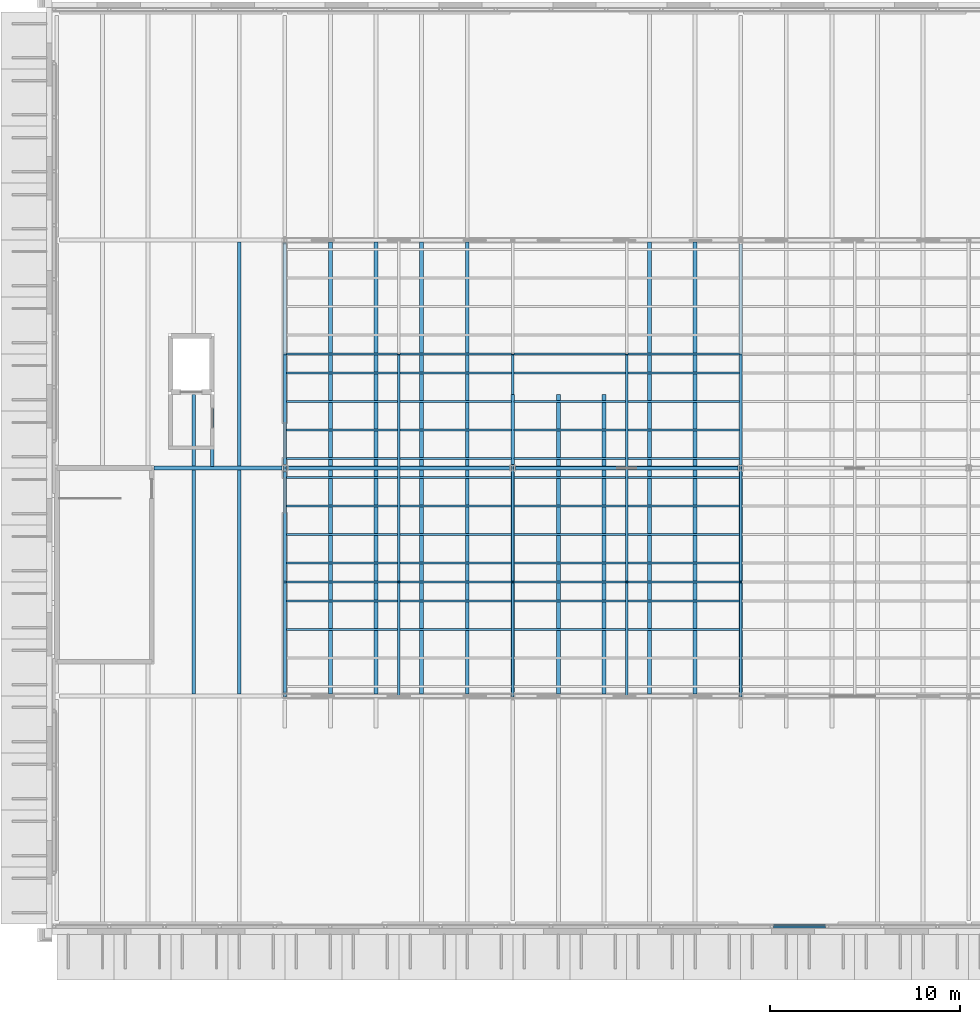
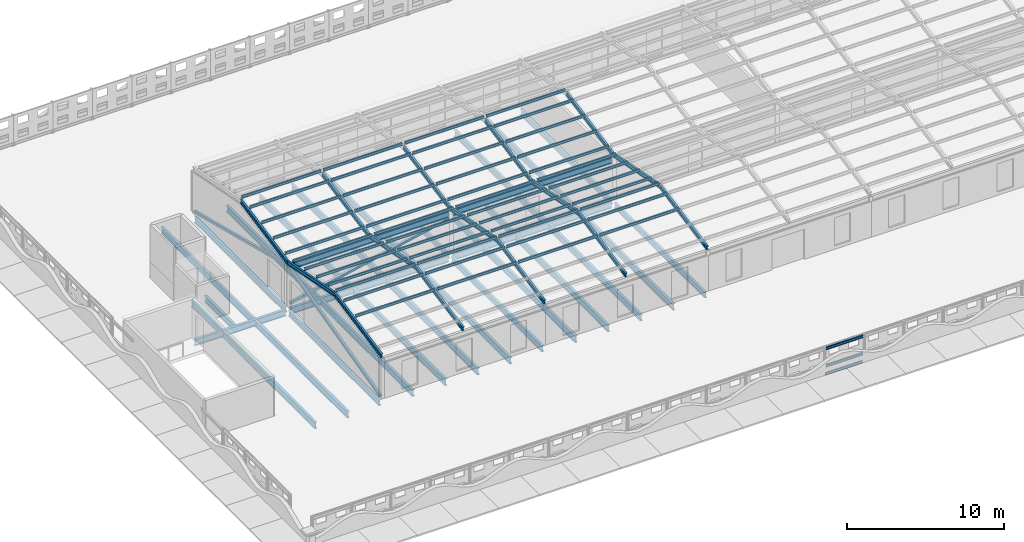
# One storey, part 26 of 91: 54 members, 47 beams.
"""IFC4 building model written with IfcOpenShell, lengths in metres."""

import ifcopenshell
import ifcopenshell.guid

model = None  # the IFC model being written
_history = None  # IfcOwnerHistory: only IFC2X3 demands one
_inside = {}  # id of a spatial element -> (the spatial element, [elements in it])
_under = {}  # id of a project, library or spatial element -> (it, [spatial elements below it])
_declared = {}  # id of a project -> (the project, [libraries it declares])
_typed = {}  # id of a type object -> (the type object, [elements of that type])
_made_of = {}  # id of a material, layer set ... -> (it, [elements and type objects made of it])


def new_model(schema):
    """Start an empty IFC model of exactly this schema.

    Asked for "IFC4X3", IfcOpenShell would pick the latest addendum, in which some entities
    have other attributes; the version numbers below select the first issue.
    IFC2X3 requires an IfcOwnerHistory on every rooted entity: one is made here for all.
    """
    global model, _history
    if schema == "IFC4X3":
        model = ifcopenshell.file(schema_version=(4, 3, 0, 0))
    else:
        model = ifcopenshell.file(schema=schema)
    _inside.clear()
    _under.clear()
    _declared.clear()
    _typed.clear()
    _made_of.clear()
    _history = None
    if model.schema == "IFC2X3":
        org = make("IfcOrganization", Name="unknown")
        user = make(
            "IfcPersonAndOrganization",
            ThePerson=make("IfcPerson", FamilyName="unknown"),
            TheOrganization=org,
        )
        app = make(
            "IfcApplication",
            ApplicationDeveloper=org,
            Version="unknown",
            ApplicationFullName="unknown",
            ApplicationIdentifier="unknown",
        )
        _history = make(
            "IfcOwnerHistory",
            OwningUser=user,
            OwningApplication=app,
            ChangeAction="ADDED",
            CreationDate=0,
        )
    return model


def make(cls, **values):
    """One entity of the class cls with the attributes given. An attribute that is None is left unset."""
    return model.create_entity(
        cls, **{name: value for name, value in values.items() if value is not None}
    )


def rooted(cls, **values):
    """An entity with a GlobalId (a new one), such as an element, a storey or a relation."""
    return make(cls, GlobalId=ifcopenshell.guid.new(), OwnerHistory=_history, **values)


def si_unit(unit_type, name, prefix=None):
    """IfcSIUnit, for example si_unit("LENGTHUNIT", "METRE", prefix="MILLI")."""
    return make("IfcSIUnit", UnitType=unit_type, Prefix=prefix, Name=name)


def assignment(units):
    """IfcUnitAssignment: the units of a project."""
    return None if units is None else make("IfcUnitAssignment", Units=units)


def point(xyz):
    """IfcCartesianPoint."""
    return None if xyz is None else make("IfcCartesianPoint", Coordinates=xyz)


def direction(xyz):
    """IfcDirection."""
    return None if xyz is None else make("IfcDirection", DirectionRatios=xyz)


def frame(location, z_axis=None, x_axis=None):
    """IfcAxis2Placement3D, a coordinate frame: its origin and axes. An axis left out is left unset."""
    return make(
        "IfcAxis2Placement3D",
        Location=point(location),
        Axis=direction(z_axis),
        RefDirection=direction(x_axis),
    )


def frame_2d(location, x_axis=None):
    """IfcAxis2Placement2D, a coordinate frame in the plane: its origin and x axis."""
    return make(
        "IfcAxis2Placement2D", Location=point(location), RefDirection=direction(x_axis)
    )


def origin():
    """The frame at (0, 0, 0) with its axes left unset."""
    return frame((0.0, 0.0, 0.0))


def origin_2d():
    """The frame at (0, 0) in the plane with its x axis left unset."""
    return frame_2d((0.0, 0.0))


def place(relative_to, where):
    """IfcLocalPlacement: puts the frame where relative to a parent placement (None: the world)."""
    return make(
        "IfcLocalPlacement", PlacementRelTo=relative_to, RelativePlacement=where
    )


def context(
    kind, dimensions, precision=None, world=None, true_north=None, identifier=None
):
    """IfcGeometricRepresentationContext, for example the 3D "Model" context."""
    return make(
        "IfcGeometricRepresentationContext",
        ContextIdentifier=identifier,
        ContextType=kind,
        CoordinateSpaceDimension=dimensions,
        Precision=precision,
        WorldCoordinateSystem=world,
        TrueNorth=true_north,
    )


def subcontext(parent, identifier, kind, view, scale=None):
    """IfcGeometricRepresentationSubContext, for example "Body" below "Model"."""
    return make(
        "IfcGeometricRepresentationSubContext",
        ContextIdentifier=identifier,
        ContextType=kind,
        ParentContext=parent,
        TargetScale=scale,
        TargetView=view,
    )


def project(units=None, contexts=None):
    """IfcProject with its units and contexts."""
    return rooted(
        "IfcProject",
        Name="project",
        RepresentationContexts=contexts,
        UnitsInContext=assignment(units),
    )


def spatial(cls, under=None, at=None, **own):
    """A site, building, storey or space (cls), placed at a placement, below another one or the project."""
    s = rooted(cls, ObjectPlacement=at, **own)
    if under is not None:
        _under.setdefault(under.id(), (under, []))[1].append(s)
    return s


def profile(cls, at=None, kind="AREA", **sizes):
    """A parametric profile (cls). Its sizes go by their IFC names, for example OverallWidth=200.0."""
    return make(cls, ProfileType=kind, Position=at, **sizes)


def hollow_rectangle(**sizes):
    """IfcRectangleHollowProfileDef."""
    return profile("IfcRectangleHollowProfileDef", **sizes)


def i_section(**sizes):
    """IfcIShapeProfileDef."""
    return profile("IfcIShapeProfileDef", **sizes)


def extrude(swept, where, along, depth):
    """IfcExtrudedAreaSolid: the profile swept, set in the frame where, extruded along a direction by depth."""
    return make(
        "IfcExtrudedAreaSolid",
        SweptArea=swept,
        Position=where,
        ExtrudedDirection=direction(along),
        Depth=depth,
    )


def shape(context_of_items, identifier, shape_type, items):
    """IfcShapeRepresentation: the items that make up one representation, for example the "Body"."""
    return make(
        "IfcShapeRepresentation",
        ContextOfItems=context_of_items,
        RepresentationIdentifier=identifier,
        RepresentationType=shape_type,
        Items=items,
    )


def material(Name=None, Category=None):
    """IfcMaterial."""
    return make("IfcMaterial", Name=Name, Category=Category)


def material_profile(
    of_material, cross_section, Name=None, Category=None, Priority=None
):
    """IfcMaterialProfile: a cross section and its material."""
    return make(
        "IfcMaterialProfile",
        Name=Name,
        Material=of_material,
        Profile=cross_section,
        Priority=Priority,
        Category=Category,
    )


def profile_set(profiles, Name=None, composite=None):
    """IfcMaterialProfileSet."""
    return make(
        "IfcMaterialProfileSet",
        Name=Name,
        MaterialProfiles=profiles,
        CompositeProfile=composite,
    )


def made_of(thing, what):
    """Note that an element or type object is made of a material, layer set ...; save() writes the relation."""
    if what is not None:
        _made_of.setdefault(what.id(), (what, []))[1].append(thing)
    return thing


def type_object(cls, material=None, **own):
    """A type object (cls), such as IfcWallType, which elements share."""
    return made_of(rooted(cls, **own), material)


def element(
    cls,
    number,
    at=None,
    inside=None,
    cuts=None,
    type_object=None,
    material=None,
    context=None,
    identifier="Body",
    shape_type=None,
    held_by="IfcProductDefinitionShape",
    body=None,
    shapes=None,
    **own,
):
    """One element of the class cls, such as IfcWall. Its Tag is "e" and its number.

    at: its placement. inside: the storey or other place that contains it. cuts: it is an
    opening in that element (IfcRelVoidsElement). A single representation is given by context,
    identifier, shape_type and body (its items); several are given by shapes. held_by: the class
    of the entity that holds the representations. save() writes the other relations.
    """
    e = rooted(cls, Tag="e%d" % number, ObjectPlacement=at, **own)
    if body is not None:
        shapes = [shape(context, identifier, shape_type, body)]
    if shapes is not None:
        e.Representation = make(held_by, Representations=shapes)
    if inside is not None:
        _inside.setdefault(inside.id(), (inside, []))[1].append(e)
    if cuts is not None:
        rooted(
            "IfcRelVoidsElement", RelatingBuildingElement=cuts, RelatedOpeningElement=e
        )
    if type_object is not None:
        _typed.setdefault(type_object.id(), (type_object, []))[1].append(e)
    return made_of(e, material)


def aggregate(whole, parts):
    """IfcRelAggregates: a whole, such as a stair, and the parts it consists of."""
    return rooted("IfcRelAggregates", RelatingObject=whole, RelatedObjects=parts)


def save(model, path):
    """Write the relations noted so far, then the file.

    IfcRelAggregates (storeys below a building ...), IfcRelContainedInSpatialStructure (elements
    in a storey), IfcRelDefinesByType, IfcRelAssociatesMaterial and IfcRelDeclares: one each for
    every whole, place, type object, material and project.
    """
    for whole, parts in _under.values():
        aggregate(whole, parts)
    for where, things in _inside.values():
        rooted(
            "IfcRelContainedInSpatialStructure",
            RelatedElements=things,
            RelatingStructure=where,
        )
    for kind, things in _typed.values():
        rooted("IfcRelDefinesByType", RelatedObjects=things, RelatingType=kind)
    for what, things in _made_of.values():
        rooted("IfcRelAssociatesMaterial", RelatedObjects=things, RelatingMaterial=what)
    for by, libraries in _declared.values():
        rooted("IfcRelDeclares", RelatingContext=by, RelatedDefinitions=libraries)
    model.write(path)


model = new_model("IFC4")

# Units and contexts
model_context = context("Model", 3, precision=1e-05, world=origin(), true_north=direction((0.0, 1.0)))
body_context = subcontext(model_context, "Body", "Model", "MODEL_VIEW")
ifc_project = project(units=[si_unit("LENGTHUNIT", "METRE"), si_unit("AREAUNIT", "SQUARE_METRE"), si_unit("VOLUMEUNIT", "CUBIC_METRE"), si_unit("PLANEANGLEUNIT", "RADIAN"), si_unit("MASSUNIT", "GRAM", prefix="KILO")], contexts=[model_context])

# Site, building, storey
site_placement = place(None, origin())
site = spatial("IfcSite", under=ifc_project, at=site_placement, CompositionType="ELEMENT")
building_placement = place(site_placement, origin())
building = spatial("IfcBuilding", under=site, at=building_placement, Name="Ravi Spectrum Wholesale Market", CompositionType="ELEMENT")
storey_placement = place(building_placement, frame((0.0, 0.0, 16.199951171875)))
storey = spatial("IfcBuildingStorey", under=building, at=storey_placement, Name="ROOF PLANT LEVEL", CompositionType="ELEMENT", Elevation=16.199951171875)

# Members
ifc_material_1 = material(Name="Steel S355", Category="steel")
ifc_material_profile_1 = material_profile(ifc_material_1, i_section(OverallWidth=0.10009765625, OverallDepth=0.199951171875, WebThickness=0.005615234375, FlangeThickness=0.008544921875, at=origin_2d()))
ifc_profile_set_1 = profile_set([ifc_material_profile_1], Name="Steel S355")
member_type_1 = type_object("IfcMemberType", Name="IPE 200 purlin", PredefinedType="PURLIN", material=ifc_profile_set_1)
for number, where, z_axis, x_axis, name in (
    (1, (235.723876953125, 17.85009765625, 0.900146484375), (1.0, 0.0, 0.0), (0.0, 1.0, 0.0), "CS-MB-ROOF-132"),
    (2, (235.723876953125, 17.85009765625, 2.25), (1.0, 0.0, 0.0), (0.0, 1.0, 0.0), "CS-MB-ROOF-133"),
    (3, (235.723876953125, 17.94921875, 0.199951171875), (1.0, 0.0, 0.0), (0.0, 1.0, 0.0), "CS-MB-ROOF-134"),
):
    element("IfcMember", number, at=place(storey_placement, frame(where, z_axis=z_axis, x_axis=x_axis)), inside=storey, type_object=member_type_1, Name=name, PredefinedType="PURLIN", context=body_context, shape_type="SweptSolid", body=[
        extrude(i_section(OverallWidth=0.10009765625, OverallDepth=0.199951171875, WebThickness=0.005615234375, FlangeThickness=0.008544921875, at=origin_2d()), origin(), (0.0, 0.0, 1.0), 2.738525390625),
    ])
for number, where, z_axis, x_axis, name in (
    (4, (210.074951171875, 33.5, 4.267822265625), (1.0, 0.0, 0.0), (0.0, 1.0, 0.0), "CS-MB-ROOF-359"),
    (5, (210.074951171875, 35.0, 4.559326171875), (1.0, 0.0, 0.0), (0.0, 1.0, 0.0), "CS-MB-ROOF-360"),
    (6, (210.074951171875, 41.5, 3.684814453125), (1.0, 0.0, 0.0), (0.0, 1.0, 0.0), "CS-MB-ROOF-361"),
    (7, (210.074951171875, 40.0, 3.976318359375), (1.0, 0.0, 0.0), (0.0, 1.0, 0.0), "CS-MB-ROOF-362"),
    (8, (210.074951171875, 38.5, 4.267822265625), (1.0, 0.0, 0.0), (0.0, 1.0, 0.0), "CS-MB-ROOF-363"),
    (9, (210.074951171875, 37.0, 4.559326171875), (1.0, 0.0, 0.0), (0.0, 1.0, 0.0), "CS-MB-ROOF-364"),
    (10, (210.074951171875, 42.5, 3.684814453125), (1.0, 0.0, 0.0), (0.0, 1.0, 0.0), "CS-MB-ROOF-365"),
    (11, (210.074951171875, 44.0, 3.976318359375), (1.0, 0.0, 0.0), (0.0, 1.0, 0.0), "CS-MB-ROOF-366"),
    (12, (210.074951171875, 45.5, 4.267822265625), (1.0, 0.0, 0.0), (0.0, 1.0, 0.0), "CS-MB-ROOF-367"),
    (13, (210.074951171875, 47.0, 4.559326171875), (1.0, 0.0, 0.0), (0.0, 1.0, 0.0), "CS-MB-ROOF-368"),
    (14, (210.074951171875, 36.0, 4.744140625), (1.0, 0.0, 0.0), (0.0, 1.0, 0.0), "CS-MB-ROOF-373"),
    (15, (210.074951171875, 48.0, 4.744140625), (1.0, 0.0, 0.0), (0.0, 1.0, 0.0), "CS-MB-ROOF-374"),
    (16, (216.074951171875, 33.5, 4.267822265625), (1.0, 0.0, 0.0), (0.0, 1.0, 0.0), "CS-MB-ROOF-377"),
    (17, (216.074951171875, 35.0, 4.559326171875), (1.0, 0.0, 0.0), (0.0, 1.0, 0.0), "CS-MB-ROOF-378"),
    (18, (216.074951171875, 41.5, 3.684814453125), (1.0, 0.0, 0.0), (0.0, 1.0, 0.0), "CS-MB-ROOF-379"),
    (19, (216.074951171875, 40.0, 3.976318359375), (1.0, 0.0, 0.0), (0.0, 1.0, 0.0), "CS-MB-ROOF-380"),
    (20, (216.074951171875, 38.5, 4.267822265625), (1.0, 0.0, 0.0), (0.0, 1.0, 0.0), "CS-MB-ROOF-381"),
    (21, (216.074951171875, 37.0, 4.559326171875), (1.0, 0.0, 0.0), (0.0, 1.0, 0.0), "CS-MB-ROOF-382"),
    (22, (216.074951171875, 42.5, 3.684814453125), (1.0, 0.0, 0.0), (0.0, 1.0, 0.0), "CS-MB-ROOF-383"),
    (23, (216.074951171875, 44.0, 3.976318359375), (1.0, 0.0, 0.0), (0.0, 1.0, 0.0), "CS-MB-ROOF-384"),
    (24, (216.074951171875, 45.5, 4.267822265625), (1.0, 0.0, 0.0), (0.0, 1.0, 0.0), "CS-MB-ROOF-385"),
    (25, (216.074951171875, 47.0, 4.559326171875), (1.0, 0.0, 0.0), (0.0, 1.0, 0.0), "CS-MB-ROOF-386"),
    (26, (216.074951171875, 36.0, 4.744140625), (1.0, 0.0, 0.0), (0.0, 1.0, 0.0), "CS-MB-ROOF-391"),
    (27, (216.074951171875, 48.0, 4.744140625), (1.0, 0.0, 0.0), (0.0, 1.0, 0.0), "CS-MB-ROOF-392"),
    (28, (222.074951171875, 33.5, 4.267822265625), (1.0, 0.0, 0.0), (0.0, 1.0, 0.0), "CS-MB-ROOF-395"),
    (29, (222.074951171875, 35.0, 4.559326171875), (1.0, 0.0, 0.0), (0.0, 1.0, 0.0), "CS-MB-ROOF-396"),
    (30, (222.074951171875, 41.5, 3.684814453125), (1.0, 0.0, 0.0), (0.0, 1.0, 0.0), "CS-MB-ROOF-397"),
    (31, (222.074951171875, 40.0, 3.976318359375), (1.0, 0.0, 0.0), (0.0, 1.0, 0.0), "CS-MB-ROOF-398"),
    (32, (222.074951171875, 38.5, 4.267822265625), (1.0, 0.0, 0.0), (0.0, 1.0, 0.0), "CS-MB-ROOF-399"),
    (33, (222.074951171875, 37.0, 4.559326171875), (1.0, 0.0, 0.0), (0.0, 1.0, 0.0), "CS-MB-ROOF-400"),
    (34, (222.074951171875, 42.5, 3.684814453125), (1.0, 0.0, 0.0), (0.0, 1.0, 0.0), "CS-MB-ROOF-401"),
    (35, (222.074951171875, 44.0, 3.976318359375), (1.0, 0.0, 0.0), (0.0, 1.0, 0.0), "CS-MB-ROOF-402"),
    (36, (222.074951171875, 45.5, 4.267822265625), (1.0, 0.0, 0.0), (0.0, 1.0, 0.0), "CS-MB-ROOF-403"),
    (37, (222.074951171875, 47.0, 4.559326171875), (1.0, 0.0, 0.0), (0.0, 1.0, 0.0), "CS-MB-ROOF-404"),
    (38, (222.074951171875, 36.0, 4.744140625), (1.0, 0.0, 0.0), (0.0, 1.0, 0.0), "CS-MB-ROOF-409"),
    (39, (222.074951171875, 48.0, 4.744140625), (1.0, 0.0, 0.0), (0.0, 1.0, 0.0), "CS-MB-ROOF-410"),
    (40, (228.074951171875, 33.5, 4.267822265625), (1.0, 0.0, 0.0), (0.0, 1.0, 0.0), "CS-MB-ROOF-413"),
    (41, (228.074951171875, 35.0, 4.559326171875), (1.0, 0.0, 0.0), (0.0, 1.0, 0.0), "CS-MB-ROOF-414"),
    (42, (228.074951171875, 41.5, 3.684814453125), (1.0, 0.0, 0.0), (0.0, 1.0, 0.0), "CS-MB-ROOF-415"),
    (43, (228.074951171875, 40.0, 3.976318359375), (1.0, 0.0, 0.0), (0.0, 1.0, 0.0), "CS-MB-ROOF-416"),
    (44, (228.074951171875, 38.5, 4.267822265625), (1.0, 0.0, 0.0), (0.0, 1.0, 0.0), "CS-MB-ROOF-417"),
    (45, (228.074951171875, 37.0, 4.559326171875), (1.0, 0.0, 0.0), (0.0, 1.0, 0.0), "CS-MB-ROOF-418"),
    (46, (228.074951171875, 42.5, 3.684814453125), (1.0, 0.0, 0.0), (0.0, 1.0, 0.0), "CS-MB-ROOF-419"),
    (47, (228.074951171875, 44.0, 3.976318359375), (1.0, 0.0, 0.0), (0.0, 1.0, 0.0), "CS-MB-ROOF-420"),
    (48, (228.074951171875, 45.5, 4.267822265625), (1.0, 0.0, 0.0), (0.0, 1.0, 0.0), "CS-MB-ROOF-421"),
    (49, (228.074951171875, 47.0, 4.559326171875), (1.0, 0.0, 0.0), (0.0, 1.0, 0.0), "CS-MB-ROOF-422"),
    (50, (228.074951171875, 36.0, 4.744140625), (1.0, 0.0, 0.0), (0.0, 1.0, 0.0), "CS-MB-ROOF-427"),
    (51, (228.074951171875, 48.0, 4.744140625), (1.0, 0.0, 0.0), (0.0, 1.0, 0.0), "CS-MB-ROOF-428"),
):
    element("IfcMember", number, at=place(storey_placement, frame(where, z_axis=z_axis, x_axis=x_axis)), inside=storey, type_object=member_type_1, Name=name, PredefinedType="PURLIN", context=body_context, shape_type="SweptSolid", body=[
        extrude(i_section(OverallWidth=0.10009765625, OverallDepth=0.199951171875, WebThickness=0.005615234375, FlangeThickness=0.008544921875, at=origin_2d()), origin(), (0.0, 0.0, 1.0), 5.85009765625),
    ])

# Beams
ifc_material_2 = material(Name="Steel S355", Category="steel")
ifc_material_profile_2 = material_profile(ifc_material_2, i_section(OverallWidth=0.14990234375, OverallDepth=0.300048828125, WebThickness=0.007080078125, FlangeThickness=0.0107421875, at=origin_2d()))
ifc_profile_set_2 = profile_set([ifc_material_profile_2], Name="Steel S355")
beam_type_1 = type_object("IfcBeamType", Name="IPE 300 beam", PredefinedType="BEAM", material=ifc_profile_set_2)
for number, where, z_axis, x_axis, name in (
    (52, (210.0, 29.971435546875, 3.3193359375), (0.0, 0.981627860336, 0.190805513054), (-1.0, 0.0, 0.0), "CS-BM-ROOF-196"),
    (53, (210.0, 42.028564453125, 3.3193359375), (0.0, -0.981627860336, 0.190805513054), (1.0, 0.0, 0.0), "CS-BM-ROOF-197"),
    (54, (210.0, 41.971435546875, 3.3193359375), (0.0, 0.981627860336, 0.190805513054), (-1.0, 0.0, 0.0), "CS-BM-ROOF-198"),
    (55, (216.0, 29.971435546875, 3.3193359375), (0.0, 0.981627860336, 0.190805513054), (-1.0, 0.0, 0.0), "CS-BM-ROOF-200"),
    (56, (216.0, 42.028564453125, 3.3193359375), (0.0, -0.981627860336, 0.190805513054), (1.0, 0.0, 0.0), "CS-BM-ROOF-201"),
    (57, (216.0, 41.971435546875, 3.3193359375), (0.0, 0.981627860336, 0.190805513054), (-1.0, 0.0, 0.0), "CS-BM-ROOF-202"),
    (58, (222.0, 29.971435546875, 3.3193359375), (0.0, 0.981627860336, 0.190805513054), (-1.0, 0.0, 0.0), "CS-BM-ROOF-204"),
    (59, (222.0, 42.028564453125, 3.3193359375), (0.0, -0.981627860336, 0.190805513054), (1.0, 0.0, 0.0), "CS-BM-ROOF-205"),
    (60, (222.0, 41.971435546875, 3.3193359375), (0.0, 0.981627860336, 0.190805513054), (-1.0, 0.0, 0.0), "CS-BM-ROOF-206"),
    (61, (228.0, 29.971435546875, 3.3193359375), (0.0, 0.981627860336, 0.190805513054), (-1.0, 0.0, 0.0), "CS-BM-ROOF-208"),
    (62, (228.0, 42.028564453125, 3.3193359375), (0.0, -0.981627860336, 0.190805513054), (1.0, 0.0, 0.0), "CS-BM-ROOF-209"),
    (63, (228.0, 41.971435546875, 3.3193359375), (0.0, 0.981627860336, 0.190805513054), (-1.0, 0.0, 0.0), "CS-BM-ROOF-210"),
    (64, (234.0, 29.971435546875, 3.3193359375), (0.0, 0.981627860336, 0.190805513054), (-1.0, 0.0, 0.0), "CS-BM-ROOF-212"),
    (65, (234.0, 42.028564453125, 3.3193359375), (0.0, -0.981627860336, 0.190805513054), (1.0, 0.0, 0.0), "CS-BM-ROOF-213"),
    (66, (234.0, 41.971435546875, 3.3193359375), (0.0, 0.981627860336, 0.190805513054), (-1.0, 0.0, 0.0), "CS-BM-ROOF-214"),
):
    element("IfcBeam", number, at=place(storey_placement, frame(where, z_axis=z_axis, x_axis=x_axis)), inside=storey, type_object=beam_type_1, Name=name, PredefinedType="BEAM", context=body_context, shape_type="SweptSolid", body=[
        extrude(i_section(OverallWidth=0.14990234375, OverallDepth=0.300048828125, WebThickness=0.007080078125, FlangeThickness=0.0107421875, at=origin_2d()), origin(), (0.0, 0.0, 1.0), 6.1123046875),
    ])
ifc_material_3 = material(Name="Steel S355", Category="steel")
ifc_material_profile_3 = material_profile(ifc_material_3, i_section(OverallWidth=0.18994140625, OverallDepth=0.449951171875, WebThickness=0.009521484375, FlangeThickness=0.0146484375, at=origin_2d()))
ifc_profile_set_3 = profile_set([ifc_material_profile_3], Name="Steel S355")
beam_type_2 = type_object("IfcBeamType", Name="IPE 450 girder", PredefinedType="BEAM", material=ifc_profile_set_3)
for number, where, z_axis, x_axis, name in (
    (67, (210.0, 30.199951171875, -0.474853515625), (0.0, 1.0, 0.0), (-1.0, 0.0, 0.0), "CS-BM-ROOF-041"),
    (68, (210.0, 42.199951171875, -0.474853515625), (0.0, 1.0, 0.0), (-1.0, 0.0, 0.0), "CS-BM-ROOF-042"),
    (69, (222.0, 30.199951171875, -0.474853515625), (0.0, 1.0, 0.0), (-1.0, 0.0, 0.0), "CS-BM-ROOF-046"),
):
    element("IfcBeam", number, at=place(storey_placement, frame(where, z_axis=z_axis, x_axis=x_axis)), inside=storey, type_object=beam_type_2, Name=name, PredefinedType="BEAM", context=body_context, shape_type="SweptSolid", body=[
        extrude(i_section(OverallWidth=0.18994140625, OverallDepth=0.449951171875, WebThickness=0.009521484375, FlangeThickness=0.0146484375, at=origin_2d()), origin(), (0.0, 0.0, 1.0), 11.60009765625),
    ])
beam_1_placement = place(storey_placement, frame((222.0, 42.199951171875, -0.474853515625), z_axis=(0.0, 1.0, 0.0), x_axis=(-1.0, 0.0, 0.0)))
element("IfcBeam", 70, at=beam_1_placement, inside=storey, type_object=beam_type_2, Name="CS-BM-ROOF-047", PredefinedType="BEAM", context=body_context, shape_type="SweptSolid", body=[
    extrude(i_section(OverallWidth=0.18994140625, OverallDepth=0.449951171875, WebThickness=0.009521484375, FlangeThickness=0.0146484375, at=origin_2d()), origin(), (0.0, 0.0, 1.0), 3.675048828125),
])
for number, where, z_axis, x_axis, name in (
    (71, (234.0, 30.199951171875, -0.474853515625), (0.0, 1.0, 0.0), (-1.0, 0.0, 0.0), "CS-BM-ROOF-049"),
    (72, (234.0, 42.199951171875, -0.474853515625), (0.0, 1.0, 0.0), (-1.0, 0.0, 0.0), "CS-BM-ROOF-050"),
):
    element("IfcBeam", number, at=place(storey_placement, frame(where, z_axis=z_axis, x_axis=x_axis)), inside=storey, type_object=beam_type_2, Name=name, PredefinedType="BEAM", context=body_context, shape_type="SweptSolid", body=[
        extrude(i_section(OverallWidth=0.18994140625, OverallDepth=0.449951171875, WebThickness=0.009521484375, FlangeThickness=0.0146484375, at=origin_2d()), origin(), (0.0, 0.0, 1.0), 11.60009765625),
    ])
for number, where, z_axis, x_axis, name in (
    (73, (210.14990234375, 42.0, 2.947265625), (1.0, 0.0, 0.0), (0.0, 1.0, 0.0), "CS-BM-ROOF-186"),
    (74, (222.14990234375, 42.0, 2.947265625), (1.0, 0.0, 0.0), (0.0, 1.0, 0.0), "CS-BM-ROOF-187"),
):
    element("IfcBeam", number, at=place(storey_placement, frame(where, z_axis=z_axis, x_axis=x_axis)), inside=storey, type_object=beam_type_2, Name=name, PredefinedType="BEAM", context=body_context, shape_type="SweptSolid", body=[
        extrude(i_section(OverallWidth=0.18994140625, OverallDepth=0.449951171875, WebThickness=0.009521484375, FlangeThickness=0.0146484375, at=origin_2d()), origin(), (0.0, 0.0, 1.0), 11.7001953125),
    ])
ifc_material_4 = material(Name="Steel S355", Category="steel")
ifc_material_profile_4 = material_profile(ifc_material_4, i_section(OverallWidth=0.199951171875, OverallDepth=0.5, WebThickness=0.01025390625, FlangeThickness=0.01611328125, at=origin_2d()))
ifc_profile_set_4 = profile_set([ifc_material_profile_4], Name="Steel S355")
beam_type_3 = type_object("IfcBeamType", Name="IPE 500 beam", PredefinedType="BEAM", material=ifc_profile_set_4)
beam_2_placement = place(storey_placement, frame((203.125, 42.0, -0.5), z_axis=(1.0, 0.0, 0.0), x_axis=(0.0, 1.0, 0.0)))
element("IfcBeam", 75, at=beam_2_placement, inside=storey, type_object=beam_type_3, Name="CS-BM-ROOF-015", PredefinedType="BEAM", context=body_context, shape_type="SweptSolid", body=[
    extrude(i_section(OverallWidth=0.199951171875, OverallDepth=0.5, WebThickness=0.01025390625, FlangeThickness=0.01611328125, at=origin_2d()), origin(), (0.0, 0.0, 1.0), 6.72509765625),
])
for number, where, z_axis, x_axis, name in (
    (76, (210.14990234375, 42.0, -0.5), (1.0, 0.0, 0.0), (0.0, 1.0, 0.0), "CS-BM-ROOF-016"),
    (77, (222.14990234375, 42.0, -0.5), (1.0, 0.0, 0.0), (0.0, 1.0, 0.0), "CS-BM-ROOF-017"),
):
    element("IfcBeam", number, at=place(storey_placement, frame(where, z_axis=z_axis, x_axis=x_axis)), inside=storey, type_object=beam_type_3, Name=name, PredefinedType="BEAM", context=body_context, shape_type="SweptSolid", body=[
        extrude(i_section(OverallWidth=0.199951171875, OverallDepth=0.5, WebThickness=0.01025390625, FlangeThickness=0.01611328125, at=origin_2d()), origin(), (0.0, 0.0, 1.0), 11.7001953125),
    ])
for number, where, z_axis, x_axis, name in (
    (78, (205.199951171875, 30.10009765625, -0.5), (0.0, 1.0, 0.0), (-1.0, 0.0, 0.0), "CS-BM-ROOF-074"),
    (79, (207.60009765625, 30.10009765625, -0.5), (0.0, 1.0, 0.0), (-1.0, 0.0, 0.0), "CS-BM-ROOF-075"),
):
    element("IfcBeam", number, at=place(storey_placement, frame(where, z_axis=z_axis, x_axis=x_axis)), inside=storey, type_object=beam_type_3, Name=name, PredefinedType="BEAM", context=body_context, shape_type="SweptSolid", body=[
        extrude(i_section(OverallWidth=0.199951171875, OverallDepth=0.5, WebThickness=0.01025390625, FlangeThickness=0.01611328125, at=origin_2d()), origin(), (0.0, 0.0, 1.0), 11.7998046875),
    ])
beam_3_placement = place(storey_placement, frame((205.199951171875, 42.10009765625, -0.5), z_axis=(0.0, 1.0, 0.0), x_axis=(-1.0, 0.0, 0.0)))
element("IfcBeam", 80, at=beam_3_placement, inside=storey, type_object=beam_type_3, Name="CS-BM-ROOF-078", PredefinedType="BEAM", context=body_context, shape_type="SweptSolid", body=[
    extrude(i_section(OverallWidth=0.199951171875, OverallDepth=0.5, WebThickness=0.01025390625, FlangeThickness=0.01611328125, at=origin_2d()), origin(), (0.0, 0.0, 1.0), 3.77490234375),
])
for number, where, z_axis, x_axis, name in (
    (81, (207.60009765625, 42.10009765625, -0.5), (0.0, 1.0, 0.0), (-1.0, 0.0, 0.0), "CS-BM-ROOF-080"),
    (82, (212.39990234375, 30.10009765625, -0.5), (0.0, 1.0, 0.0), (-1.0, 0.0, 0.0), "CS-BM-ROOF-090"),
    (83, (214.800048828125, 30.10009765625, -0.5), (0.0, 1.0, 0.0), (-1.0, 0.0, 0.0), "CS-BM-ROOF-091"),
    (84, (217.199951171875, 30.10009765625, -0.5), (0.0, 1.0, 0.0), (-1.0, 0.0, 0.0), "CS-BM-ROOF-092"),
    (85, (219.60009765625, 30.10009765625, -0.5), (0.0, 1.0, 0.0), (-1.0, 0.0, 0.0), "CS-BM-ROOF-093"),
    (86, (212.39990234375, 42.10009765625, -0.5), (0.0, 1.0, 0.0), (-1.0, 0.0, 0.0), "CS-BM-ROOF-094"),
    (87, (214.800048828125, 42.10009765625, -0.5), (0.0, 1.0, 0.0), (-1.0, 0.0, 0.0), "CS-BM-ROOF-095"),
    (88, (217.199951171875, 42.10009765625, -0.5), (0.0, 1.0, 0.0), (-1.0, 0.0, 0.0), "CS-BM-ROOF-096"),
    (89, (219.60009765625, 42.10009765625, -0.5), (0.0, 1.0, 0.0), (-1.0, 0.0, 0.0), "CS-BM-ROOF-097"),
    (90, (224.39990234375, 30.10009765625, -0.5), (0.0, 1.0, 0.0), (-1.0, 0.0, 0.0), "CS-BM-ROOF-106"),
    (91, (226.800048828125, 30.10009765625, -0.5), (0.0, 1.0, 0.0), (-1.0, 0.0, 0.0), "CS-BM-ROOF-107"),
    (92, (229.199951171875, 30.10009765625, -0.5), (0.0, 1.0, 0.0), (-1.0, 0.0, 0.0), "CS-BM-ROOF-108"),
    (93, (231.60009765625, 30.10009765625, -0.5), (0.0, 1.0, 0.0), (-1.0, 0.0, 0.0), "CS-BM-ROOF-109"),
):
    element("IfcBeam", number, at=place(storey_placement, frame(where, z_axis=z_axis, x_axis=x_axis)), inside=storey, type_object=beam_type_3, Name=name, PredefinedType="BEAM", context=body_context, shape_type="SweptSolid", body=[
        extrude(i_section(OverallWidth=0.199951171875, OverallDepth=0.5, WebThickness=0.01025390625, FlangeThickness=0.01611328125, at=origin_2d()), origin(), (0.0, 0.0, 1.0), 11.7998046875),
    ])
for number, where, z_axis, x_axis, name in (
    (94, (224.39990234375, 42.10009765625, -0.5), (0.0, 1.0, 0.0), (-1.0, 0.0, 0.0), "CS-BM-ROOF-110"),
    (95, (226.800048828125, 42.10009765625, -0.5), (0.0, 1.0, 0.0), (-1.0, 0.0, 0.0), "CS-BM-ROOF-111"),
):
    element("IfcBeam", number, at=place(storey_placement, frame(where, z_axis=z_axis, x_axis=x_axis)), inside=storey, type_object=beam_type_3, Name=name, PredefinedType="BEAM", context=body_context, shape_type="SweptSolid", body=[
        extrude(i_section(OverallWidth=0.199951171875, OverallDepth=0.5, WebThickness=0.01025390625, FlangeThickness=0.01611328125, at=origin_2d()), origin(), (0.0, 0.0, 1.0), 3.77490234375),
    ])
for number, where, z_axis, x_axis, name in (
    (96, (229.199951171875, 42.10009765625, -0.5), (0.0, 1.0, 0.0), (-1.0, 0.0, 0.0), "CS-BM-ROOF-112"),
    (97, (231.60009765625, 42.10009765625, -0.5), (0.0, 1.0, 0.0), (-1.0, 0.0, 0.0), "CS-BM-ROOF-113"),
):
    element("IfcBeam", number, at=place(storey_placement, frame(where, z_axis=z_axis, x_axis=x_axis)), inside=storey, type_object=beam_type_3, Name=name, PredefinedType="BEAM", context=body_context, shape_type="SweptSolid", body=[
        extrude(i_section(OverallWidth=0.199951171875, OverallDepth=0.5, WebThickness=0.01025390625, FlangeThickness=0.01611328125, at=origin_2d()), origin(), (0.0, 0.0, 1.0), 11.7998046875),
    ])
beam_4_placement = place(storey_placement, frame((206.175048828125, 42.094970703125, -0.5), z_axis=(0.0, 1.0, 0.0), x_axis=(-1.0, 0.0, 0.0)))
element("IfcBeam", 98, at=beam_4_placement, inside=storey, type_object=beam_type_3, Name="CS-BM-ROOF-180", PredefinedType="BEAM", context=body_context, shape_type="SweptSolid", body=[
    extrude(i_section(OverallWidth=0.199951171875, OverallDepth=0.5, WebThickness=0.01025390625, FlangeThickness=0.01611328125, at=origin_2d()), origin(), (0.0, 0.0, 1.0), 3.780029296875),
])

# Members
ifc_material_5 = material(Name="Steel S355", Category="steel")
ifc_material_profile_5 = material_profile(ifc_material_5, hollow_rectangle(XDim=0.199951171875, YDim=0.199951171875, WallThickness=0.008056640625, InnerFilletRadius=0.008056640625, OuterFilletRadius=0.01611328125, at=origin_2d()))
ifc_profile_set_5 = profile_set([ifc_material_profile_5], Name="Steel S355")
member_type_2 = type_object("IfcMemberType", Name="SHS 200x200x8 brace", PredefinedType="BRACE", material=ifc_profile_set_5)
member_placement = place(storey_placement, frame((210.171142578125, 42.0, 0.097900390625), z_axis=(0.977309724951, 0.0, 0.211815253267), x_axis=(0.0, 1.0, 0.0)))
element("IfcMember", 99, at=member_placement, inside=storey, type_object=member_type_2, Name="CS-MB-ROOF-537", PredefinedType="BRACE", context=body_context, shape_type="SweptSolid", body=[
    extrude(hollow_rectangle(XDim=0.199951171875, YDim=0.199951171875, WallThickness=0.008056640625, InnerFilletRadius=0.008056640625, OuterFilletRadius=0.01611328125, at=origin_2d()), origin(), (0.0, 0.0, 1.0), 11.928466796875),
])
for number, where, z_axis, x_axis, name in (
    (100, (210.0, 30.14453125, 0.096923828125), (0.0, 0.969395441691, 0.245504536879), (-1.0, 0.0, 0.0), "CS-MB-ROOF-539"),
    (101, (210.0, 42.174560546875, 3.05517578125), (0.0, 0.969395441691, -0.245504536879), (-1.0, 0.0, 0.0), "CS-MB-ROOF-540"),
):
    element("IfcMember", number, at=place(storey_placement, frame(where, z_axis=z_axis, x_axis=x_axis)), inside=storey, type_object=member_type_2, Name=name, PredefinedType="BRACE", context=body_context, shape_type="SweptSolid", body=[
        extrude(hollow_rectangle(XDim=0.199951171875, YDim=0.199951171875, WallThickness=0.008056640625, InnerFilletRadius=0.008056640625, OuterFilletRadius=0.01611328125, at=origin_2d()), origin(), (0.0, 0.0, 1.0), 12.0498046875),
    ])

save(model, "model.ifc")
